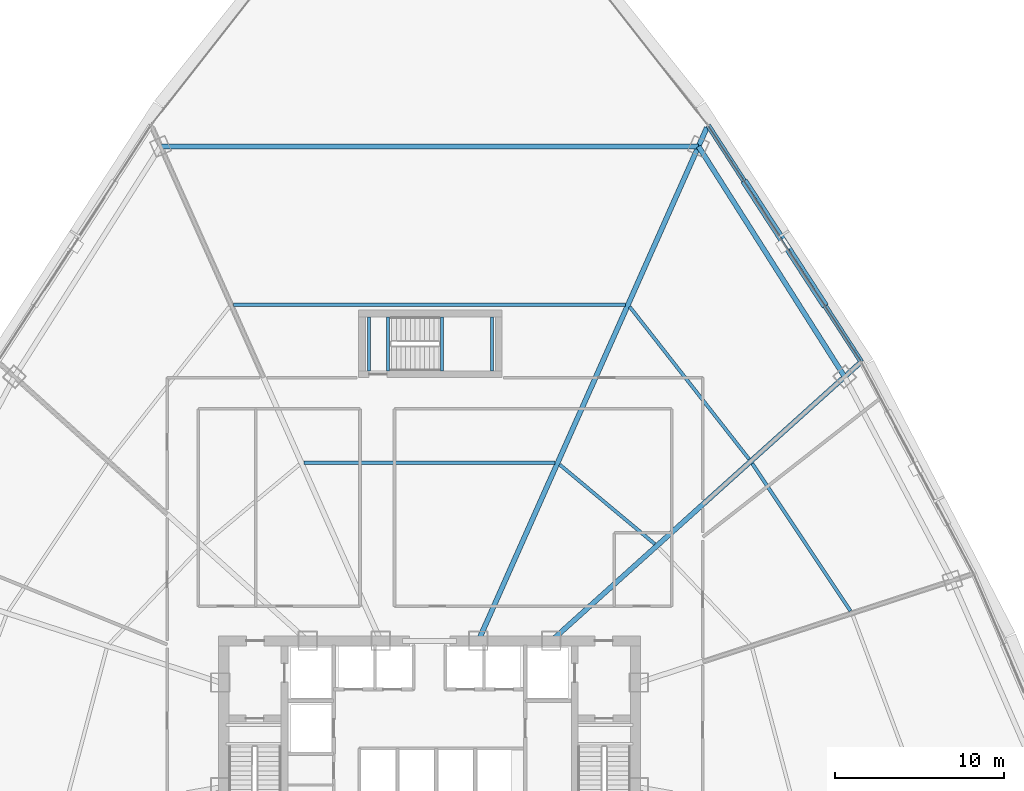
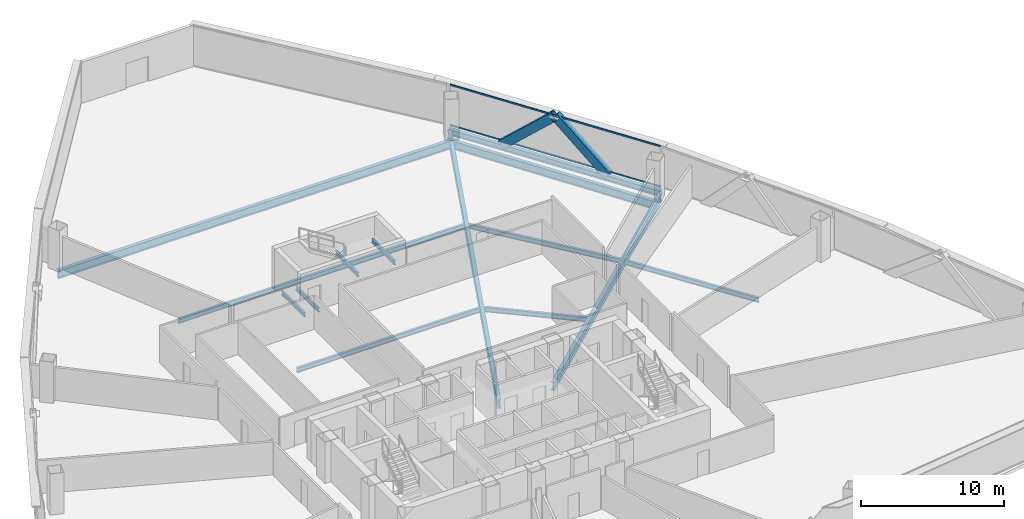
# One storey, part 19 of 41: 14 beams, 4 members, 1 element without a shape of its own.
"""IFC4 building model written with IfcOpenShell, lengths in metres."""

from ifc_helpers import new_model, si_unit, direction, frame, origin, origin_2d, place, context, subcontext, project, spatial, hollow_rectangle, i_section, extrude, source, transform, mapped, material, layer, layer_set, material_profile, profile_set, type_object, element, aggregate, save


model = new_model("IFC4")

# Units and contexts
model_context = context("Model", 3, precision=1e-05, world=origin(), true_north=direction((0.0, 1.0)))
body_context = subcontext(model_context, "Body", "Model", "MODEL_VIEW")
ifc_project = project(units=[si_unit("LENGTHUNIT", "METRE"), si_unit("AREAUNIT", "SQUARE_METRE"), si_unit("VOLUMEUNIT", "CUBIC_METRE"), si_unit("PLANEANGLEUNIT", "RADIAN"), si_unit("MASSUNIT", "GRAM", prefix="KILO"), si_unit("THERMODYNAMICTEMPERATUREUNIT", "KELVIN"), si_unit("POWERUNIT", "WATT")], contexts=[model_context])

# Site, building, storey
site_placement = place(None, origin())
site = spatial("IfcSite", under=ifc_project, at=site_placement, CompositionType="ELEMENT")
building_placement = place(site_placement, origin())
building = spatial("IfcBuilding", under=site, at=building_placement, Name="Yunzhuo Pagoda Commons", CompositionType="ELEMENT")
storey_placement = place(building_placement, frame((0.0, 0.0, 115.3798828125)))
storey = spatial("IfcBuildingStorey", under=building, at=storey_placement, Name="L29", CompositionType="ELEMENT", Elevation=115.3798828125)

# Beams
ifc_material_1 = material(Name="Structural steel Q355B", Category="steel")
ifc_material_profile_1 = material_profile(ifc_material_1, i_section(OverallWidth=0.175048828125, OverallDepth=0.35009765625, WebThickness=0.007080078125, FlangeThickness=0.010986328125, at=origin_2d()), Name="Structural steel Q355B")
ifc_profile_set_1 = profile_set([ifc_material_profile_1], Name="Structural steel Q355B")
beam_type_1 = type_object("IfcBeamType", Name="B-JS2 Joist HN 350x175x7x11", PredefinedType="JOIST", material=ifc_profile_set_1)
shared_shape_1 = source(origin(), body_context, "Body", "SweptSolid", [
    extrude(i_section(OverallWidth=0.175048828125, OverallDepth=0.35009765625, WebThickness=0.007080078125, FlangeThickness=0.010986328125, at=origin_2d()), origin(), (0.0, 0.0, 1.0), 3.199951171875),
])
for number, where, z_axis, x_axis, name in (
    (1, (48.75, 56.199951171875, 1.525146484375), (0.0, 1.0, 0.0), (-1.0, 0.0, 0.0), "L29 ST3 landing support beam 35A"),
    (2, (51.699951171875, 56.199951171875, 1.525146484375), (0.0, 1.0, 0.0), (-1.0, 0.0, 0.0), "L29 ST3 landing support beam 35B"),
    (3, (44.39990234375, 56.199951171875, -0.375), (0.0, 1.0, 0.0), (-1.0, 0.0, 0.0), "L29 ST3 landing support beam 103A"),
    (4, (45.550048828125, 56.199951171875, -0.375), (0.0, 1.0, 0.0), (-1.0, 0.0, 0.0), "L29 ST3 landing support beam 103B"),
):
    element("IfcBeam", number, at=place(storey_placement, frame(where, z_axis=z_axis, x_axis=x_axis)), inside=storey, type_object=beam_type_1, Name=name, PredefinedType="JOIST", context=body_context, shape_type="MappedRepresentation", body=[
        mapped(shared_shape_1, transform((0.0, 0.0, 0.0), scale=1.0)),
    ])
ifc_material_profile_2 = material_profile(ifc_material_1, i_section(OverallWidth=0.300048828125, OverallDepth=0.699951171875, WebThickness=0.012939453125, FlangeThickness=0.02392578125, at=origin_2d()), Name="Structural steel Q355B")
ifc_profile_set_2 = profile_set([ifc_material_profile_2], Name="Structural steel Q355B")
beam_type_2 = type_object("IfcBeamType", Name="B-RG1 Beam HN 700x300x13x24", PredefinedType="BEAM", material=ifc_profile_set_2)
shared_shape_2 = source(origin(), body_context, "Body", "SweptSolid", [
    extrude(i_section(OverallWidth=0.300048828125, OverallDepth=0.699951171875, WebThickness=0.012939453125, FlangeThickness=0.02392578125, at=origin_2d()), origin(), (0.0, 0.0, 1.0), 16.16845703125),
])
beam_1_placement = place(storey_placement, frame((72.602783203125, 55.852294921875, -0.609619140625), z_axis=(-0.535695673154, 0.844411123662, 0.0), x_axis=(-0.844411123662, -0.535695673154, 0.0)))
element("IfcBeam", 5, at=beam_1_placement, inside=storey, type_object=beam_type_2, Name="L29 column-ring beam 7", PredefinedType="BEAM", context=body_context, shape_type="MappedRepresentation", body=[
    mapped(shared_shape_2, transform((0.0, 0.0, 0.0), scale=1.0)),
])
shared_shape_3 = source(origin(), body_context, "Body", "SweptSolid", [
    extrude(i_section(OverallWidth=0.300048828125, OverallDepth=0.699951171875, WebThickness=0.012939453125, FlangeThickness=0.02392578125, at=origin_2d()), origin(), (0.0, 0.0, 1.0), 31.8828125),
])
beam_2_placement = place(storey_placement, frame((63.94140625, 69.505126953125, -0.609619140625), z_axis=(-1.0, 0.0, 0.0), x_axis=(0.0, -1.0, 0.0)))
element("IfcBeam", 6, at=beam_2_placement, inside=storey, type_object=beam_type_2, Name="L29 column-ring beam 8", PredefinedType="BEAM", context=body_context, shape_type="MappedRepresentation", body=[
    mapped(shared_shape_3, transform((0.0, 0.0, 0.0), scale=1.0)),
])
ifc_material_profile_3 = material_profile(ifc_material_1, i_section(OverallWidth=0.199951171875, OverallDepth=0.39990234375, WebThickness=0.008056640625, FlangeThickness=0.012939453125, at=origin_2d()), Name="Structural steel Q355B")
ifc_profile_set_3 = profile_set([ifc_material_profile_3], Name="Structural steel Q355B")
beam_type_3 = type_object("IfcBeamType", Name="B-JS1 Joist HN 400x200x8x13", PredefinedType="JOIST", material=ifc_profile_set_3)
shared_shape_4 = source(origin(), body_context, "Body", "SweptSolid", [
    extrude(i_section(OverallWidth=0.199951171875, OverallDepth=0.39990234375, WebThickness=0.008056640625, FlangeThickness=0.012939453125, at=origin_2d()), origin(), (0.0, 0.0, 1.0), 10.50537109375),
])
beam_3_placement = place(storey_placement, frame((72.95361328125, 41.968994140625, -0.4599609375), z_axis=(-0.554523204193, 0.832168261839, 0.0), x_axis=(-0.832168261839, -0.554523204193, 0.0)))
element("IfcBeam", 7, at=beam_3_placement, inside=storey, type_object=beam_type_3, Name="L29 composite ring joist 2.6", PredefinedType="JOIST", context=body_context, shape_type="MappedRepresentation", body=[
    mapped(shared_shape_4, transform((0.0, 0.0, 0.0), scale=1.0)),
])
shared_shape_5 = source(origin(), body_context, "Body", "SweptSolid", [
    extrude(i_section(OverallWidth=0.199951171875, OverallDepth=0.39990234375, WebThickness=0.008056640625, FlangeThickness=0.012939453125, at=origin_2d()), origin(), (0.0, 0.0, 1.0), 7.350341796875),
])
beam_4_placement = place(storey_placement, frame((61.355224609375, 45.936767578125, -0.4599609375), z_axis=(-0.767589283892, 0.640942034239, 0.0), x_axis=(-0.640942034239, -0.767589283892, 0.0)))
element("IfcBeam", 8, at=beam_4_placement, inside=storey, type_object=beam_type_3, Name="L29 composite ring joist 1.7", PredefinedType="JOIST", context=body_context, shape_type="MappedRepresentation", body=[
    mapped(shared_shape_5, transform((0.0, 0.0, 0.0), scale=1.0)),
])
shared_shape_6 = source(origin(), body_context, "Body", "SweptSolid", [
    extrude(i_section(OverallWidth=0.199951171875, OverallDepth=0.39990234375, WebThickness=0.008056640625, FlangeThickness=0.012939453125, at=origin_2d()), origin(), (0.0, 0.0, 1.0), 11.475830078125),
])
beam_5_placement = place(storey_placement, frame((66.942138671875, 50.96875, -0.4599609375), z_axis=(-0.616739539478, 0.787167288728, 0.0), x_axis=(-0.787167288728, -0.616739539478, 0.0)))
element("IfcBeam", 9, at=beam_5_placement, inside=storey, type_object=beam_type_3, Name="L29 composite ring joist 2.7", PredefinedType="JOIST", context=body_context, shape_type="MappedRepresentation", body=[
    mapped(shared_shape_6, transform((0.0, 0.0, 0.0), scale=1.0)),
])
shared_shape_7 = source(origin(), body_context, "Body", "SweptSolid", [
    extrude(i_section(OverallWidth=0.199951171875, OverallDepth=0.39990234375, WebThickness=0.008056640625, FlangeThickness=0.012939453125, at=origin_2d()), origin(), (0.0, 0.0, 1.0), 14.8642578125),
])
beam_6_placement = place(storey_placement, frame((55.43212890625, 50.749755859375, -0.4599609375), z_axis=(-1.0, 0.0, 0.0), x_axis=(0.0, -1.0, 0.0)))
element("IfcBeam", 10, at=beam_6_placement, inside=storey, type_object=beam_type_3, Name="L29 composite ring joist 1.8", PredefinedType="JOIST", context=body_context, shape_type="MappedRepresentation", body=[
    mapped(shared_shape_7, transform((0.0, 0.0, 0.0), scale=1.0)),
])
shared_shape_8 = source(origin(), body_context, "Body", "SweptSolid", [
    extrude(i_section(OverallWidth=0.199951171875, OverallDepth=0.39990234375, WebThickness=0.008056640625, FlangeThickness=0.012939453125, at=origin_2d()), origin(), (0.0, 0.0, 1.0), 23.21484375),
])
beam_7_placement = place(storey_placement, frame((59.607421875, 60.12744140625, -0.4599609375), z_axis=(-1.0, 0.0, 0.0), x_axis=(0.0, -1.0, 0.0)))
element("IfcBeam", 11, at=beam_7_placement, inside=storey, type_object=beam_type_3, Name="L29 composite ring joist 2.8", PredefinedType="JOIST", context=body_context, shape_type="MappedRepresentation", body=[
    mapped(shared_shape_8, transform((0.0, 0.0, 0.0), scale=1.0)),
])
shared_shape_9 = source(origin(), body_context, "Body", "SweptSolid", [
    extrude(i_section(OverallWidth=0.300048828125, OverallDepth=0.699951171875, WebThickness=0.012939453125, FlangeThickness=0.02392578125, at=origin_2d()), origin(), (0.0, 0.0, 1.0), 24.568359375),
])
beam_8_placement = place(storey_placement, frame((73.476806640625, 56.639404296875, -0.609619140625), z_axis=(-0.743143916503, -0.669131615876, 0.0), x_axis=(0.669131615876, -0.743143916503, 0.0)))
element("IfcBeam", 12, at=beam_8_placement, inside=storey, type_object=beam_type_2, Name="L29 radial floor girder F2C3", PredefinedType="BEAM", context=body_context, shape_type="MappedRepresentation", body=[
    mapped(shared_shape_9, transform((0.0, 0.0, 0.0), scale=1.0)),
])
shared_shape_10 = source(origin(), body_context, "Body", "SweptSolid", [
    extrude(i_section(OverallWidth=0.300048828125, OverallDepth=0.699951171875, WebThickness=0.012939453125, FlangeThickness=0.02392578125, at=origin_2d()), origin(), (0.0, 0.0, 1.0), 33.302490234375),
])
beam_9_placement = place(storey_placement, frame((64.439208984375, 70.623291015625, -0.609619140625), z_axis=(-0.406732192738, -0.913547439048, 0.0), x_axis=(0.913547439048, -0.406732192738, 0.0)))
element("IfcBeam", 13, at=beam_9_placement, inside=storey, type_object=beam_type_2, Name="L29 radial floor girder F2C4", PredefinedType="BEAM", context=body_context, shape_type="MappedRepresentation", body=[
    mapped(shared_shape_10, transform((0.0, 0.0, 0.0), scale=1.0)),
])
ifc_material_profile_4 = material_profile(ifc_material_1, i_section(OverallWidth=0.300048828125, OverallDepth=0.488037109375, WebThickness=0.010986328125, FlangeThickness=0.01806640625, at=origin_2d()), Name="Structural steel Q355B")
ifc_profile_set_4 = profile_set([ifc_material_profile_4], Name="Structural steel Q355B")
beam_type_4 = type_object("IfcBeamType", Name="B-SP1 Beam HM 488x300x11x18", PredefinedType="BEAM", material=ifc_profile_set_4)
shared_shape_11 = source(origin(), body_context, "Body", "SweptSolid", [
    extrude(i_section(OverallWidth=0.300048828125, OverallDepth=0.488037109375, WebThickness=0.010986328125, FlangeThickness=0.01806640625, at=origin_2d()), origin(), (0.0, 0.0, 1.0), 16.710205078125),
])
beam_10_placement = place(storey_placement, frame((73.592041015625, 56.743408203125, -0.50390625), z_axis=(-0.543973185702, 0.839102599947, 0.0), x_axis=(-0.839102599947, -0.543973185702, 0.0)))
element("IfcBeam", 14, at=beam_10_placement, inside=storey, type_object=beam_type_4, Name="L29 facade edge spandrel beam F2.3", PredefinedType="BEAM", context=body_context, shape_type="MappedRepresentation", body=[
    mapped(shared_shape_11, transform((0.0, 0.0, 0.0), scale=1.0)),
])

# Members
ifc_material_2 = material(Name="Structural steel Q420B", Category="steel")
ifc_material_profile_5 = material_profile(ifc_material_2, hollow_rectangle(XDim=0.419921875, YDim=0.719970703125, WallThickness=0.028076171875, at=origin_2d()), Name="Structural steel Q420B")
ifc_profile_set_5 = profile_set([ifc_material_profile_5], Name="Structural steel Q420B")
member_type_1 = type_object("IfcMemberType", Name="M-DL1 Brace BOX 720x420x28", PredefinedType="BRACE", material=ifc_profile_set_5)
shared_shape_12 = source(origin(), body_context, "Body", "SweptSolid", [
    extrude(hollow_rectangle(XDim=0.419921875, YDim=0.719970703125, WallThickness=0.028076171875, at=origin_2d()), origin(), (0.0, 0.0, 1.0), 5.6337890625),
])
for number, where, z_axis, x_axis, name in (
    (15, (71.319580078125, 60.248779296875, -0.259765625), (-0.403369779324, 0.622215652291, 0.670925109958), (-0.839102599947, -0.543973185702, 0.0), "L29 facade diamond brace F2.3L"),
    (16, (66.77490234375, 67.259765625, -0.259765625), (0.403322617711, -0.622253085603, 0.670918745826), (0.839146565245, 0.543905361288, 0.0), "L29 facade diamond brace F2.3R"),
):
    element("IfcMember", number, at=place(storey_placement, frame(where, z_axis=z_axis, x_axis=x_axis)), inside=storey, type_object=member_type_1, Name=name, PredefinedType="BRACE", context=body_context, shape_type="MappedRepresentation", body=[
        mapped(shared_shape_12, transform((0.0, 0.0, 0.0), scale=1.0)),
    ])

# Curtain wall, members
ifc_material_3 = material(Name="Anodized aluminium 6063-T6", Category="aluminium")
ifc_layer = layer(ifc_material_3, 0.1650390625)
ifc_layer_set = layer_set([ifc_layer], Name="Anodized aluminium 6063-T6")
curtain_wall_type = type_object("IfcCurtainWallType", Name="CW-LOW Low-Zone Ribbon Curtain Wall", PredefinedType="NOTDEFINED", material=ifc_layer_set)
curtain_wall_placement = place(storey_placement, origin())
curtain_wall = element("IfcCurtainWall", 17, at=curtain_wall_placement, inside=storey, type_object=curtain_wall_type, Name="L29 curtain wall CW-L29-F2B4", PredefinedType="NOTDEFINED")
ifc_material_profile_6 = material_profile(ifc_material_3, hollow_rectangle(XDim=0.06005859375, YDim=0.139892578125, WallThickness=0.00341796875, at=origin_2d()), Name="Anodized aluminium 6063-T6")
ifc_profile_set_6 = profile_set([ifc_material_profile_6], Name="Anodized aluminium 6063-T6")
member_type_2 = type_object("IfcMemberType", Name="CW-LOW-T Transom RHS 140x60x3.5", PredefinedType="USERDEFINED", material=ifc_profile_set_6)
shared_shape_13 = source(origin(), body_context, "Body", "SweptSolid", [
    extrude(hollow_rectangle(XDim=0.06005859375, YDim=0.139892578125, WallThickness=0.00341796875, at=origin_2d()), origin(), (0.0, 0.0, 1.0), 16.580322265625),
])
member_1_placement = place(storey_placement, frame((73.556640625, 56.7978515625, 0.030029296875), z_axis=(-0.543964194314, 0.839108428812, 0.0), x_axis=(-0.839108428812, -0.543964194314, 0.0)))
member_1 = element("IfcMember", 18, at=member_1_placement, type_object=member_type_2, Name="CW transom 1.1", ObjectType="TRANSOM", PredefinedType="USERDEFINED", context=body_context, shape_type="MappedRepresentation", body=[
    mapped(shared_shape_13, transform((0.0, 0.0, 0.0), scale=1.0)),
])
member_2_placement = place(storey_placement, frame((73.556640625, 56.7978515625, 3.490234375), z_axis=(-0.543964194314, 0.839108428812, 0.0), x_axis=(-0.839108428812, -0.543964194314, 0.0)))
member_2 = element("IfcMember", 19, at=member_2_placement, type_object=member_type_2, Name="CW transom 1.2", ObjectType="TRANSOM", PredefinedType="USERDEFINED", context=body_context, shape_type="MappedRepresentation", body=[
    mapped(shared_shape_13, transform((0.0, 0.0, 0.0), scale=1.0)),
])
aggregate(curtain_wall, [member_1, member_2])

save(model, "model.ifc")
